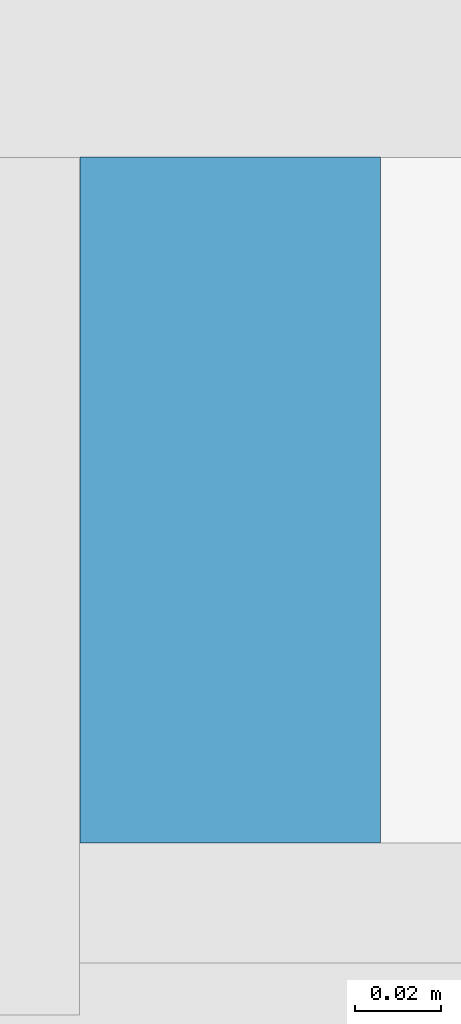
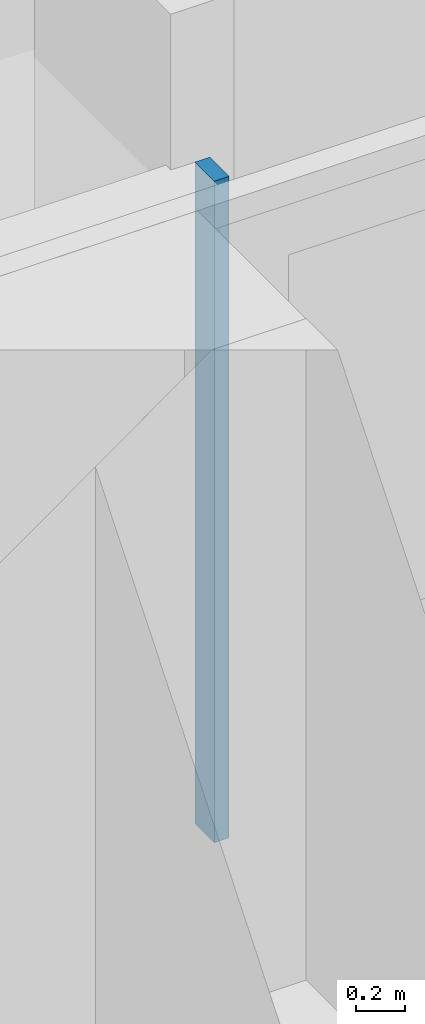
# One storey, part 10 of 29: 1 member, 1 element without a shape of its own.
"""IFC4 building model written with IfcOpenShell, lengths in metres."""

from ifc_helpers import new_model, si_unit, direction, frame, origin, origin_2d, place, context, subcontext, project, spatial, rectangle, extrude, material, material_profile, profile_set, type_object, element, aggregate, save


model = new_model("IFC4")

# Units and contexts
model_context = context("Model", 3, precision=1e-05, world=origin(), true_north=direction((0.0, 1.0)))
body_context = subcontext(model_context, "Body", "Model", "MODEL_VIEW")
ifc_project = project(units=[si_unit("LENGTHUNIT", "METRE"), si_unit("AREAUNIT", "SQUARE_METRE"), si_unit("VOLUMEUNIT", "CUBIC_METRE"), si_unit("PLANEANGLEUNIT", "RADIAN"), si_unit("MASSUNIT", "GRAM", prefix="KILO")], contexts=[model_context])

# Site, building, storey
site_placement = place(None, origin())
site = spatial("IfcSite", under=ifc_project, at=site_placement, CompositionType="ELEMENT")
building_placement = place(site_placement, origin())
building = spatial("IfcBuilding", under=site, at=building_placement, Name="Saffron Gate Tower", CompositionType="ELEMENT")
storey_placement = place(building_placement, frame((0.0, 0.0, 116.85009765625)))
storey = spatial("IfcBuildingStorey", under=building, at=storey_placement, Name="L27", CompositionType="ELEMENT", Elevation=116.85009765625)

# Curtain wall, member
ifc_material = material(Name="Aluminium, bronze anodised", Category="aluminium")
curtain_wall_type = type_object("IfcCurtainWallType", Name="CWS3 curtain wall rear facade", PredefinedType="NOTDEFINED", material=ifc_material)
curtain_wall_placement = place(storey_placement, origin())
curtain_wall = element("IfcCurtainWall", 1, at=curtain_wall_placement, inside=storey, type_object=curtain_wall_type, Name="CWS3 run 7", PredefinedType="NOTDEFINED")
ifc_material_profile = material_profile(ifc_material, rectangle(XDim=0.159912109375, YDim=0.070068359375, at=origin_2d()))
ifc_profile_set = profile_set([ifc_material_profile], Name="Aluminium, bronze anodised")
member_type = type_object("IfcMemberType", Name="CWS3 mullion 70x160", PredefinedType="MULLION", material=ifc_profile_set)
member_placement = place(storey_placement, frame((108.60009765625, 75.52001953125, 0.0), z_axis=(0.0, 0.0, 1.0), x_axis=(0.0, -1.0, 0.0)))
member = element("IfcMember", 2, at=member_placement, type_object=member_type, Name="CWS3 mullion 3", PredefinedType="MULLION", context=body_context, shape_type="SweptSolid", body=[
    extrude(rectangle(XDim=0.159912109375, YDim=0.070068359375, at=origin_2d()), origin(), (0.0, 0.0, 1.0), 3.31982421875),
])
aggregate(curtain_wall, [member])

save(model, "model.ifc")
